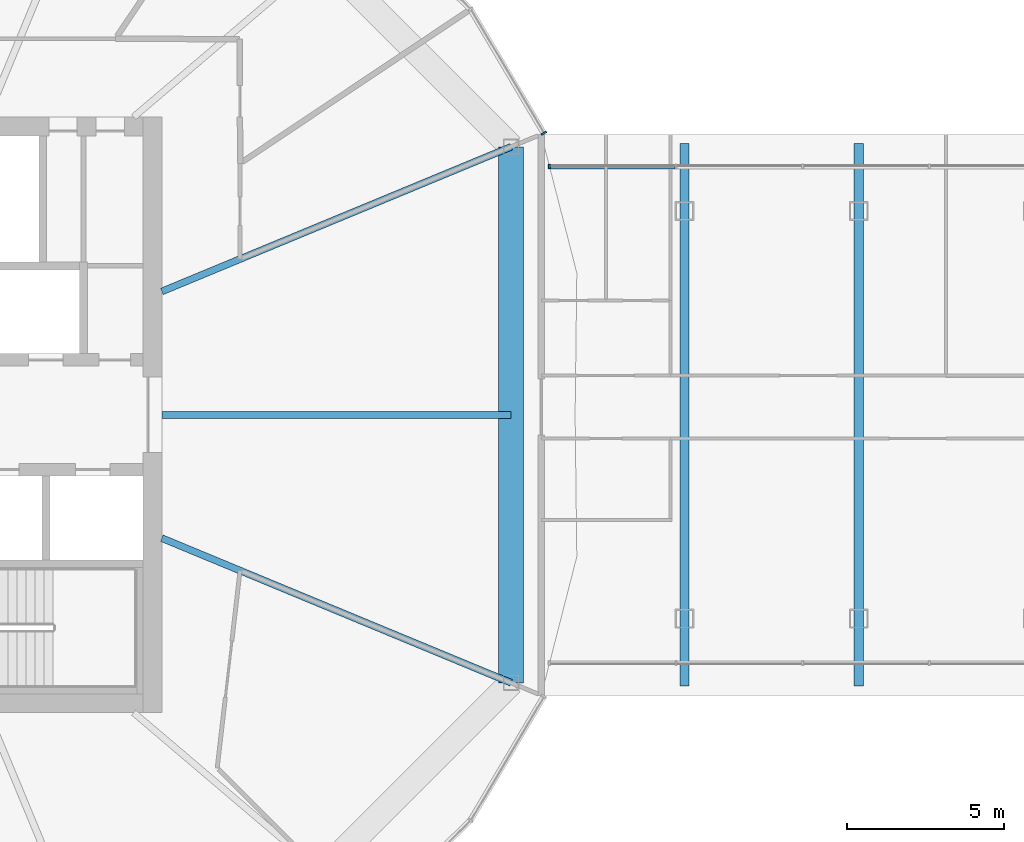
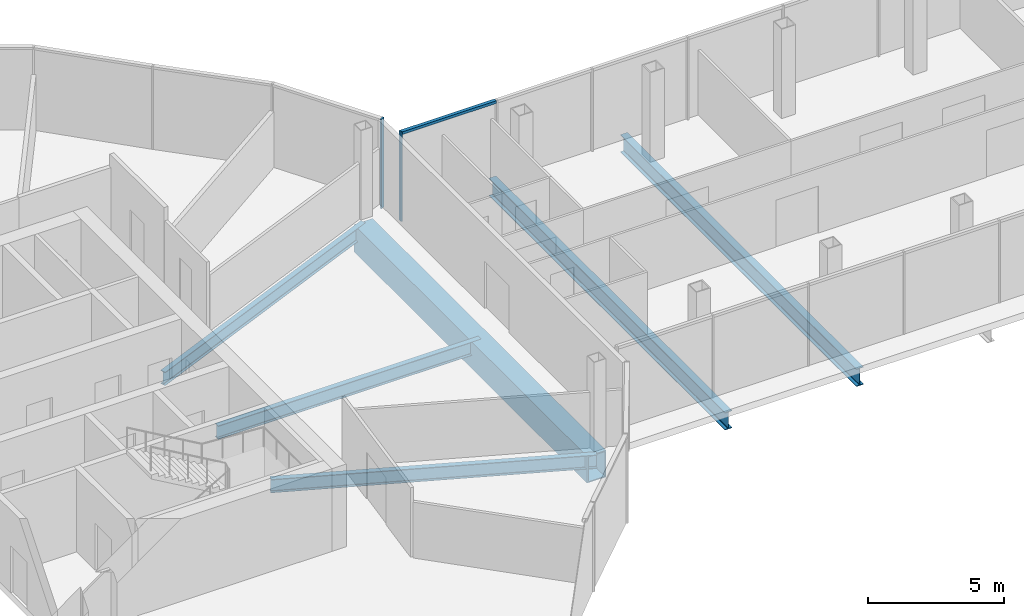
# One storey, part 7 of 25: 6 beams, 3 members, 2 elements without a shape of their own.
"""IFC4 building model written with IfcOpenShell, lengths in metres."""

from ifc_helpers import new_model, si_unit, direction, frame, origin, origin_2d, place, context, subcontext, project, spatial, rectangle, hollow_rectangle, i_section, extrude, material, material_profile, profile_set, type_object, element, aggregate, save


model = new_model("IFC4")

# Units and contexts
model_context = context("Model", 3, precision=1e-05, world=origin(), true_north=direction((0.0, 1.0)))
body_context = subcontext(model_context, "Body", "Model", "MODEL_VIEW")
ifc_project = project(units=[si_unit("LENGTHUNIT", "METRE"), si_unit("AREAUNIT", "SQUARE_METRE"), si_unit("VOLUMEUNIT", "CUBIC_METRE"), si_unit("PLANEANGLEUNIT", "RADIAN"), si_unit("MASSUNIT", "GRAM", prefix="KILO")], contexts=[model_context])

# Site, building, storey
site_placement = place(None, origin())
site = spatial("IfcSite", under=ifc_project, at=site_placement, CompositionType="ELEMENT")
building_placement = place(site_placement, origin())
building = spatial("IfcBuilding", under=site, at=building_placement, Name="Ogive Gate Towers", CompositionType="ELEMENT")
storey_placement = place(building_placement, frame((0.0, 0.0, 140.800048828125)))
storey = spatial("IfcBuildingStorey", under=building, at=storey_placement, Name="L33", CompositionType="ELEMENT", Elevation=140.800048828125)

# Beams
ifc_material_1 = material(Name="Steel SM460", Category="steel")
ifc_material_profile_1 = material_profile(ifc_material_1, i_section(OverallWidth=0.300048828125, OverallDepth=0.7900390625, WebThickness=0.014892578125, FlangeThickness=0.028076171875, FilletRadius=0.030029296875, at=origin_2d()), Name="HE 800 A")
ifc_profile_set_1 = profile_set([ifc_material_profile_1], Name="Steel SM460")
beam_type_1 = type_object("IfcBeamType", Name="Block floor beam HE 800 A", PredefinedType="BEAM", material=ifc_profile_set_1)
for number, where, z_axis, x_axis, name in (
    (1, (-9.83056640625, -8.647216796875, -0.695068359375), (0.0, 1.0, 0.0), (-1.0, 0.0, 0.0), "BR/L33/SBM001"),
    (2, (-4.27392578125, -8.647216796875, -0.695068359375), (0.0, 1.0, 0.0), (-1.0, 0.0, 0.0), "BR/L33/SBM002"),
):
    element("IfcBeam", number, at=place(storey_placement, frame(where, z_axis=z_axis, x_axis=x_axis)), inside=storey, type_object=beam_type_1, Name=name, PredefinedType="BEAM", context=body_context, shape_type="SweptSolid", body=[
        extrude(i_section(OverallWidth=0.300048828125, OverallDepth=0.7900390625, WebThickness=0.014892578125, FlangeThickness=0.028076171875, FilletRadius=0.030029296875, at=origin_2d()), origin(), (0.0, 0.0, 1.0), 17.29443359375),
    ])
ifc_material_profile_2 = material_profile(ifc_material_1, hollow_rectangle(XDim=0.800048828125, YDim=1.199951171875, WallThickness=0.050048828125, at=origin_2d()), Name="BX 1200x800x50")
ifc_profile_set_2 = profile_set([ifc_material_profile_2], Name="Steel SM460")
beam_type_2 = type_object("IfcBeamType", Name="Edge girder BX 1200x800x50", PredefinedType="BEAM", material=ifc_profile_set_2)
beam_1_placement = place(storey_placement, frame((-15.360595703125, -8.549072265625, -0.900146484375), z_axis=(0.0, 1.0, 0.0), x_axis=(-1.0, 0.0, 0.0)))
element("IfcBeam", 3, at=beam_1_placement, inside=storey, type_object=beam_type_2, Name="T1/L33/SBM020", PredefinedType="BEAM", context=body_context, shape_type="SweptSolid", body=[
    extrude(hollow_rectangle(XDim=0.800048828125, YDim=1.199951171875, WallThickness=0.050048828125, at=origin_2d()), origin(), (0.0, 0.0, 1.0), 17.09814453125),
])

# Curtain wall, members
ifc_material_2 = material(Name="Pale metal aluminium", Category="aluminium")
curtain_wall_type_1 = type_object("IfcCurtainWallType", Name="Gate block facade", PredefinedType="NOTDEFINED", material=ifc_material_2)
curtain_wall_1_placement = place(storey_placement, origin())
curtain_wall_1 = element("IfcCurtainWall", 4, at=curtain_wall_1_placement, inside=storey, type_object=curtain_wall_type_1, Name="CW3 BR ECW02", PredefinedType="NOTDEFINED")
ifc_material_profile_3 = material_profile(ifc_material_2, rectangle(XDim=0.139892578125, YDim=0.06005859375, at=origin_2d()), Name="60 x 140 aluminium box")
ifc_profile_set_3 = profile_set([ifc_material_profile_3], Name="Pale metal aluminium")
member_type_1 = type_object("IfcMemberType", Name="Gate block facade mullion 60 x 140", PredefinedType="MULLION", material=ifc_profile_set_3)
member_1_placement = place(storey_placement, frame((-14.143310546875, 7.9169921875, -0.300048828125), z_axis=(0.0, 0.0, 1.0), x_axis=(0.0, 1.0, 0.0)))
member_1 = element("IfcMember", 5, at=member_1_placement, type_object=member_type_1, Name="CW3 mullion", PredefinedType="MULLION", context=body_context, shape_type="SweptSolid", body=[
    extrude(rectangle(XDim=0.139892578125, YDim=0.06005859375, at=origin_2d()), origin(), (0.0, 0.0, 1.0), 4.0),
])
ifc_material_profile_4 = material_profile(ifc_material_2, rectangle(XDim=0.139892578125, YDim=0.1201171875, at=origin_2d()), Name="120 x 140 aluminium box")
ifc_profile_set_4 = profile_set([ifc_material_profile_4], Name="Pale metal aluminium")
member_type_2 = type_object("IfcMemberType", Name="Gate block facade transom 120 x 140", PredefinedType="USERDEFINED", material=ifc_profile_set_4)
member_2_placement = place(storey_placement, frame((-10.13232421875, 7.9169921875, 3.639892578125), z_axis=(-1.0, 0.0, 0.0), x_axis=(0.0, -1.0, 0.0)))
member_2 = element("IfcMember", 6, at=member_2_placement, type_object=member_type_2, Name="CW3 transom", ObjectType="TRANSOM", PredefinedType="USERDEFINED", context=body_context, shape_type="SweptSolid", body=[
    extrude(rectangle(XDim=0.139892578125, YDim=0.1201171875, at=origin_2d()), origin(), (0.0, 0.0, 1.0), 3.98095703125),
])
aggregate(curtain_wall_1, [member_1, member_2])

# Beams
ifc_material_3 = material(Name="Steel SM355", Category="steel")
ifc_material_profile_5 = material_profile(ifc_material_3, i_section(OverallWidth=0.219970703125, OverallDepth=0.60009765625, WebThickness=0.011962890625, FlangeThickness=0.01904296875, FilletRadius=0.02392578125, at=origin_2d()), Name="IPE 600")
ifc_profile_set_5 = profile_set([ifc_material_profile_5], Name="Steel SM355")
beam_type_3 = type_object("IfcBeamType", Name="Radial floor beam IPE 600", PredefinedType="BEAM", material=ifc_profile_set_5)
beam_2_placement = place(storey_placement, frame((-26.5, -3.93505859375, -0.60009765625), z_axis=(0.923881839184, -0.382677863518, 0.0), x_axis=(0.382677863518, 0.923881839184, 0.0)))
element("IfcBeam", 7, at=beam_2_placement, inside=storey, type_object=beam_type_3, Name="T1/L33/SBM007", PredefinedType="BEAM", context=body_context, shape_type="SweptSolid", body=[
    extrude(i_section(OverallWidth=0.219970703125, OverallDepth=0.60009765625, WebThickness=0.011962890625, FlangeThickness=0.01904296875, FilletRadius=0.02392578125, at=origin_2d()), origin(), (0.0, 0.0, 1.0), 12.05712890625),
])
beam_3_placement = place(storey_placement, frame((-26.5, 0.0, -0.60009765625), z_axis=(1.0, 0.0, 0.0), x_axis=(0.0, 1.0, 0.0)))
element("IfcBeam", 8, at=beam_3_placement, inside=storey, type_object=beam_type_3, Name="T1/L33/SBM008", PredefinedType="BEAM", context=body_context, shape_type="SweptSolid", body=[
    extrude(i_section(OverallWidth=0.219970703125, OverallDepth=0.60009765625, WebThickness=0.011962890625, FlangeThickness=0.01904296875, FilletRadius=0.02392578125, at=origin_2d()), origin(), (0.0, 0.0, 1.0), 11.139404296875),
])
beam_4_placement = place(storey_placement, frame((-26.5, 3.93505859375, -0.60009765625), z_axis=(0.923881839184, 0.382677863518, 0.0), x_axis=(-0.382677863518, 0.923881839184, 0.0)))
element("IfcBeam", 9, at=beam_4_placement, inside=storey, type_object=beam_type_3, Name="T1/L33/SBM009", PredefinedType="BEAM", context=body_context, shape_type="SweptSolid", body=[
    extrude(i_section(OverallWidth=0.219970703125, OverallDepth=0.60009765625, WebThickness=0.011962890625, FlangeThickness=0.01904296875, FilletRadius=0.02392578125, at=origin_2d()), origin(), (0.0, 0.0, 1.0), 12.05712890625),
])

# Curtain wall, member
curtain_wall_type_2 = type_object("IfcCurtainWallType", Name="Tower unitised wall, high zone", PredefinedType="NOTDEFINED", material=ifc_material_2)
curtain_wall_2_placement = place(storey_placement, origin())
curtain_wall_2 = element("IfcCurtainWall", 10, at=curtain_wall_2_placement, inside=storey, type_object=curtain_wall_type_2, Name="CW2 T1 ECW01", PredefinedType="NOTDEFINED")
ifc_material_profile_6 = material_profile(ifc_material_2, rectangle(XDim=0.179931640625, YDim=0.06005859375, at=origin_2d()), Name="60 x 180 aluminium box")
ifc_profile_set_6 = profile_set([ifc_material_profile_6], Name="Pale metal aluminium")
member_type_3 = type_object("IfcMemberType", Name="Tower unitised wall, high zone mullion 60 x 180", PredefinedType="MULLION", material=ifc_profile_set_6)
member_3_placement = place(storey_placement, frame((-14.31494140625, 8.980712890625, -0.300048828125), z_axis=(0.0, 0.0, 1.0), x_axis=(0.860546505685, 0.509371879429, 0.0)))
member_3 = element("IfcMember", 11, at=member_3_placement, type_object=member_type_3, Name="CW2 mullion", PredefinedType="MULLION", context=body_context, shape_type="SweptSolid", body=[
    extrude(rectangle(XDim=0.179931640625, YDim=0.06005859375, at=origin_2d()), origin(), (0.0, 0.0, 1.0), 4.0),
])
aggregate(curtain_wall_2, [member_3])

save(model, "model.ifc")
